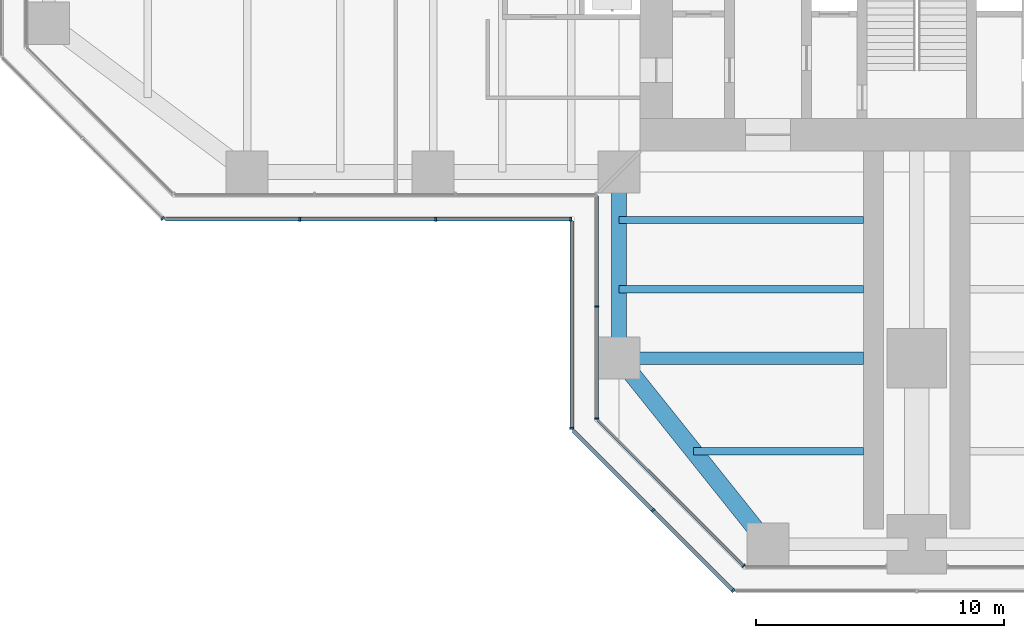
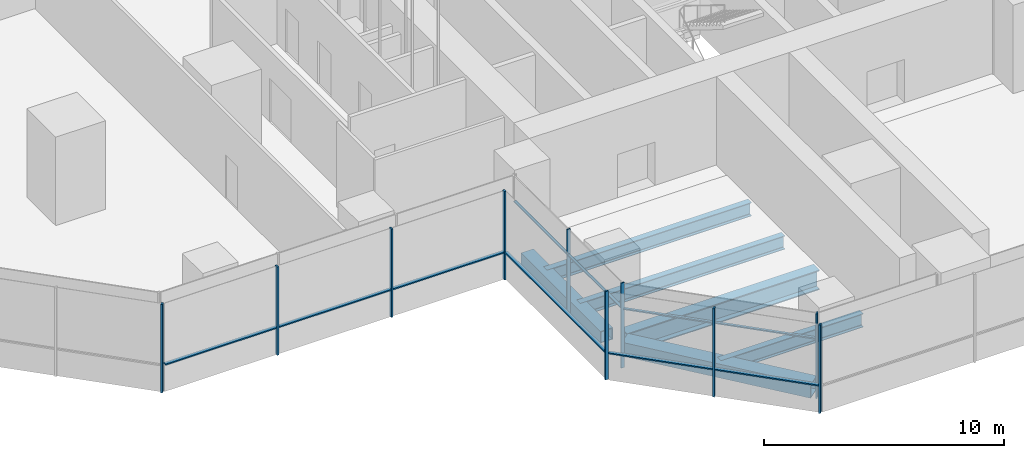
# One storey, part 2 of 34: 19 members, 6 beams, 6 elements without a shape of their own.
"""IFC4 building model written with IfcOpenShell, lengths in metres."""

from ifc_helpers import new_model, si_unit, direction, frame, origin, origin_2d, place, context, subcontext, project, spatial, rectangle, hollow_rectangle, i_section, extrude, material, material_profile, profile_set, type_object, element, aggregate, save


model = new_model("IFC4")

# Units and contexts
model_context = context("Model", 3, precision=1e-05, world=origin(), true_north=direction((0.0, 1.0)))
body_context = subcontext(model_context, "Body", "Model", "MODEL_VIEW")
ifc_project = project(units=[si_unit("LENGTHUNIT", "METRE"), si_unit("AREAUNIT", "SQUARE_METRE"), si_unit("VOLUMEUNIT", "CUBIC_METRE"), si_unit("PLANEANGLEUNIT", "RADIAN"), si_unit("MASSUNIT", "GRAM", prefix="KILO")], contexts=[model_context])

# Site, building, storey
site_placement = place(None, origin())
site = spatial("IfcSite", under=ifc_project, at=site_placement, CompositionType="ELEMENT")
building_placement = place(site_placement, origin())
building = spatial("IfcBuilding", under=site, at=building_placement, Name="Mizan Broadcast Tower", CompositionType="ELEMENT")
storey_placement = place(building_placement, frame((0.0, 0.0, 194.39990234375)))
storey = spatial("IfcBuildingStorey", under=building, at=storey_placement, Name="L45", CompositionType="ELEMENT", Elevation=194.39990234375)

# Beams
ifc_material_1 = material(Name="Steel S355", Category="steel")
ifc_material_profile_1 = material_profile(ifc_material_1, hollow_rectangle(XDim=0.60009765625, YDim=0.60009765625, WallThickness=0.0400390625, at=origin_2d()), Name="BOX 600x600x40")
ifc_profile_set_1 = profile_set([ifc_material_profile_1], Name="Steel S355")
beam_type_1 = type_object("IfcBeamType", Name="EDGE BEAM BOX 600x600x40", PredefinedType="SPANDREL", material=ifc_profile_set_1)
beam_1_placement = place(storey_placement, frame((-12.0, -12.449951171875, -0.429931640625), z_axis=(0.0, -1.0, 0.0), x_axis=(1.0, 0.0, 0.0)))
element("IfcBeam", 1, at=beam_1_placement, inside=storey, type_object=beam_type_1, Name="Edge beam BOX 600x600x40 L45 south arm", PredefinedType="SPANDREL", context=body_context, shape_type="SweptSolid", body=[
    extrude(hollow_rectangle(XDim=0.60009765625, YDim=0.60009765625, WallThickness=0.0400390625, at=origin_2d()), origin(), (0.0, 0.0, 1.0), 6.60009765625),
])
ifc_material_2 = material(Name="Steel S355", Category="steel")
ifc_material_profile_2 = material_profile(ifc_material_2, hollow_rectangle(XDim=0.699951171875, YDim=0.699951171875, WallThickness=0.0400390625, at=origin_2d()), Name="BOX 700x700x40")
ifc_profile_set_2 = profile_set([ifc_material_profile_2], Name="Steel S355")
beam_type_2 = type_object("IfcBeamType", Name="EDGE BEAM BOX 700x700x40", PredefinedType="SPANDREL", material=ifc_profile_set_2)
beam_2_placement = place(storey_placement, frame((-11.639892578125, -19.949951171875, -0.47998046875), z_axis=(0.624673911726, -0.780885717636, 0.0), x_axis=(0.780885717636, 0.624673911726, 0.0)))
element("IfcBeam", 2, at=beam_2_placement, inside=storey, type_object=beam_type_2, Name="Edge beam BOX 700x700x40 L45 south arm", PredefinedType="SPANDREL", context=body_context, shape_type="SweptSolid", body=[
    extrude(hollow_rectangle(XDim=0.699951171875, YDim=0.699951171875, WallThickness=0.0400390625, at=origin_2d()), origin(), (0.0, 0.0, 1.0), 8.4521484375),
])
ifc_material_3 = material(Name="Steel S460", Category="steel")
ifc_material_profile_3 = material_profile(ifc_material_3, i_section(OverallWidth=0.5, OverallDepth=1.0, WebThickness=0.02490234375, FlangeThickness=0.050048828125, at=origin_2d()), Name="WPG 1000x500")
ifc_profile_set_3 = profile_set([ifc_material_profile_3], Name="Steel S460")
beam_type_3 = type_object("IfcBeamType", Name="GIRDER WPG 1000x500", PredefinedType="BEAM", material=ifc_profile_set_3)
beam_3_placement = place(storey_placement, frame((-11.408935546875, -19.5, -0.6298828125), z_axis=(1.0, 0.0, 0.0), x_axis=(0.0, 1.0, 0.0)))
element("IfcBeam", 3, at=beam_3_placement, inside=storey, type_object=beam_type_3, Name="Girder WPG 1000x500 L45 south arm", PredefinedType="BEAM", context=body_context, shape_type="SweptSolid", body=[
    extrude(i_section(OverallWidth=0.5, OverallDepth=1.0, WebThickness=0.02490234375, FlangeThickness=0.050048828125, at=origin_2d()), origin(), (0.0, 0.0, 1.0), 9.259033203125),
])

# Curtain wall, members
ifc_material_4 = material(Name="Aluminium framed glazing", Category="aluminium")
curtain_wall_type_1 = type_object("IfcCurtainWallType", Name="INNER SKIN HIGH ZONE", PredefinedType="USERDEFINED", material=ifc_material_4)
curtain_wall_1_placement = place(storey_placement, origin())
curtain_wall_1 = element("IfcCurtainWall", 4, at=curtain_wall_1_placement, inside=storey, type_object=curtain_wall_type_1, Name="Inner skin high zone L45 S side", ObjectType="INNER SKIN HIGH ZONE", PredefinedType="USERDEFINED")
ifc_material_5 = material(Name="Aluminium, pale anodised", Category="aluminium")
ifc_material_profile_4 = material_profile(ifc_material_5, rectangle(XDim=0.159912109375, YDim=0.06005859375, at=origin_2d()), Name="MULLION 160x60")
ifc_profile_set_4 = profile_set([ifc_material_profile_4], Name="Aluminium, pale anodised")
member_type_1 = type_object("IfcMemberType", Name="INNER SKIN MULLION 60x160", PredefinedType="MULLION", material=ifc_profile_set_4)
member_1_placement = place(storey_placement, frame((-12.89990234375, -17.42919921875, 0.0), z_axis=(0.0, 0.0, 1.0), x_axis=(1.0, 0.0, 0.0)))
member_1 = element("IfcMember", 5, at=member_1_placement, type_object=member_type_1, Name="Inner skin high zone L45 S side mullion 2", PredefinedType="MULLION", context=body_context, shape_type="SweptSolid", body=[
    extrude(rectangle(XDim=0.159912109375, YDim=0.06005859375, at=origin_2d()), origin(), (0.0, 0.0, 1.0), 4.320068359375),
])
member_2_placement = place(storey_placement, frame((-12.89990234375, -21.928466796875, 0.0), z_axis=(0.0, 0.0, 1.0), x_axis=(1.0, 0.0, 0.0)))
member_2 = element("IfcMember", 6, at=member_2_placement, type_object=member_type_1, Name="Inner skin high zone L45 S side mullion 3", PredefinedType="MULLION", context=body_context, shape_type="SweptSolid", body=[
    extrude(rectangle(XDim=0.159912109375, YDim=0.06005859375, at=origin_2d()), origin(), (0.0, 0.0, 1.0), 4.320068359375),
])

# Curtain wall, member
curtain_wall_2_placement = place(storey_placement, origin())
curtain_wall_2 = element("IfcCurtainWall", 7, at=curtain_wall_2_placement, inside=storey, type_object=curtain_wall_type_1, Name="Inner skin high zone L45 S chamfer", ObjectType="INNER SKIN HIGH ZONE", PredefinedType="USERDEFINED")
member_3_placement = place(storey_placement, frame((-6.979736328125, -27.87890625, 0.0), z_axis=(0.0, 0.0, 1.0), x_axis=(0.707106781187, 0.707106781187, 0.0)))
member_3 = element("IfcMember", 8, at=member_3_placement, type_object=member_type_1, Name="Inner skin high zone L45 S chamfer mullion 2", PredefinedType="MULLION", context=body_context, shape_type="SweptSolid", body=[
    extrude(rectangle(XDim=0.159912109375, YDim=0.06005859375, at=origin_2d()), origin(), (0.0, 0.0, 1.0), 4.320068359375),
])

# Member
ifc_material_6 = material(Name="Aluminium, pale anodised", Category="aluminium")
ifc_material_profile_5 = material_profile(ifc_material_6, rectangle(XDim=0.1201171875, YDim=0.06005859375, at=origin_2d()), Name="TRANSOM 120x60")
ifc_profile_set_5 = profile_set([ifc_material_profile_5], Name="Aluminium, pale anodised")
member_type_2 = type_object("IfcMemberType", Name="INNER SKIN TRANSOM 60x120", PredefinedType="USERDEFINED", material=ifc_profile_set_5)
member_4_placement = place(storey_placement, frame((-12.89990234375, -12.9599609375, 3.030029296875), z_axis=(0.0, -1.0, 0.0), x_axis=(1.0, 0.0, 0.0)))
member_4 = element("IfcMember", 9, at=member_4_placement, type_object=member_type_2, Name="Inner skin high zone L45 S side transom 1.1", ObjectType="TRANSOM", PredefinedType="USERDEFINED", context=body_context, shape_type="SweptSolid", body=[
    extrude(rectangle(XDim=0.1201171875, YDim=0.06005859375, at=origin_2d()), origin(), (0.0, 0.0, 1.0), 4.439208984375),
])

member_5_placement = place(storey_placement, frame((-12.89990234375, -17.459228515625, 3.030029296875), z_axis=(0.0, -1.0, 0.0), x_axis=(1.0, 0.0, 0.0)))
member_5 = element("IfcMember", 10, at=member_5_placement, type_object=member_type_2, Name="Inner skin high zone L45 S side transom 2.1", ObjectType="TRANSOM", PredefinedType="USERDEFINED", context=body_context, shape_type="SweptSolid", body=[
    extrude(rectangle(XDim=0.1201171875, YDim=0.06005859375, at=origin_2d()), origin(), (0.0, 0.0, 1.0), 4.439453125),
])

aggregate(curtain_wall_1, [member_1, member_2, member_4, member_5])

member_6_placement = place(storey_placement, frame((-12.857666015625, -22.0009765625, 3.030029296875), z_axis=(0.707106781187, -0.707106781187, 0.0), x_axis=(0.707106781187, 0.707106781187, 0.0)))
member_6 = element("IfcMember", 11, at=member_6_placement, type_object=member_type_2, Name="Inner skin high zone L45 S chamfer transom 1.1", ObjectType="TRANSOM", PredefinedType="USERDEFINED", context=body_context, shape_type="SweptSolid", body=[
    extrude(rectangle(XDim=0.1201171875, YDim=0.06005859375, at=origin_2d()), origin(), (0.0, 0.0, 1.0), 8.28271484375),
])

aggregate(curtain_wall_2, [member_3, member_6])

# Curtain wall, member
ifc_material_7 = material(Name="Aluminium framed glazing", Category="aluminium")
curtain_wall_type_2 = type_object("IfcCurtainWallType", Name="OUTER SKIN", PredefinedType="USERDEFINED", material=ifc_material_7)
curtain_wall_3_placement = place(storey_placement, origin())
curtain_wall_3 = element("IfcCurtainWall", 12, at=curtain_wall_3_placement, inside=storey, type_object=curtain_wall_type_2, Name="Outer skin L45 W chamfer", ObjectType="OUTER SKIN", PredefinedType="USERDEFINED")
ifc_material_8 = material(Name="Aluminium, pale anodised", Category="aluminium")
ifc_material_profile_6 = material_profile(ifc_material_8, rectangle(XDim=0.159912109375, YDim=0.080078125, at=origin_2d()), Name="MULLION 160x80")
ifc_profile_set_6 = profile_set([ifc_material_profile_6], Name="Aluminium, pale anodised")
member_type_3 = type_object("IfcMemberType", Name="OUTER SKIN MULLION 80x160", PredefinedType="MULLION", material=ifc_profile_set_6)
member_7_placement = place(storey_placement, frame((-30.401123046875, -13.871826171875, 0.0), z_axis=(0.0, 0.0, 1.0), x_axis=(0.707106781187, 0.707106781187, 0.0)))
member_7 = element("IfcMember", 13, at=member_7_placement, type_object=member_type_3, Name="Outer skin L45 W chamfer mullion 3", PredefinedType="MULLION", context=body_context, shape_type="SweptSolid", body=[
    extrude(rectangle(XDim=0.159912109375, YDim=0.080078125, at=origin_2d()), origin(), (0.0, 0.0, 1.0), 4.5),
])
aggregate(curtain_wall_3, [member_7])

# Curtain wall, members
curtain_wall_4_placement = place(storey_placement, origin())
curtain_wall_4 = element("IfcCurtainWall", 14, at=curtain_wall_4_placement, inside=storey, type_object=curtain_wall_type_2, Name="Outer skin L45 W side", ObjectType="OUTER SKIN", PredefinedType="USERDEFINED")
member_8_placement = place(storey_placement, frame((-24.8818359375, -13.89990234375, 0.0), z_axis=(0.0, 0.0, 1.0), x_axis=(0.0, 1.0, 0.0)))
member_8 = element("IfcMember", 15, at=member_8_placement, type_object=member_type_3, Name="Outer skin L45 W side mullion 2", PredefinedType="MULLION", context=body_context, shape_type="SweptSolid", body=[
    extrude(rectangle(XDim=0.159912109375, YDim=0.080078125, at=origin_2d()), origin(), (0.0, 0.0, 1.0), 4.5),
])
member_9_placement = place(storey_placement, frame((-19.390869140625, -13.89990234375, 0.0), z_axis=(0.0, 0.0, 1.0), x_axis=(0.0, 1.0, 0.0)))
member_9 = element("IfcMember", 16, at=member_9_placement, type_object=member_type_3, Name="Outer skin L45 W side mullion 3", PredefinedType="MULLION", context=body_context, shape_type="SweptSolid", body=[
    extrude(rectangle(XDim=0.159912109375, YDim=0.080078125, at=origin_2d()), origin(), (0.0, 0.0, 1.0), 4.5),
])
member_10_placement = place(storey_placement, frame((-13.93994140625, -13.89990234375, 0.0), z_axis=(0.0, 0.0, 1.0), x_axis=(0.0, 1.0, 0.0)))
member_10 = element("IfcMember", 17, at=member_10_placement, type_object=member_type_3, Name="Outer skin L45 W side mullion 4", PredefinedType="MULLION", context=body_context, shape_type="SweptSolid", body=[
    extrude(rectangle(XDim=0.159912109375, YDim=0.080078125, at=origin_2d()), origin(), (0.0, 0.0, 1.0), 4.5),
])

# Curtain wall, member
curtain_wall_5_placement = place(storey_placement, origin())
curtain_wall_5 = element("IfcCurtainWall", 18, at=curtain_wall_5_placement, inside=storey, type_object=curtain_wall_type_2, Name="Outer skin L45 S side", ObjectType="OUTER SKIN", PredefinedType="USERDEFINED")
member_11_placement = place(storey_placement, frame((-13.89990234375, -22.332763671875, 0.0), z_axis=(0.0, 0.0, 1.0), x_axis=(1.0, 0.0, 0.0)))
member_11 = element("IfcMember", 19, at=member_11_placement, type_object=member_type_3, Name="Outer skin L45 S side mullion 2", PredefinedType="MULLION", context=body_context, shape_type="SweptSolid", body=[
    extrude(rectangle(XDim=0.159912109375, YDim=0.080078125, at=origin_2d()), origin(), (0.0, 0.0, 1.0), 4.5),
])

# Curtain wall, members
curtain_wall_6_placement = place(storey_placement, origin())
curtain_wall_6 = element("IfcCurtainWall", 20, at=curtain_wall_6_placement, inside=storey, type_object=curtain_wall_type_2, Name="Outer skin L45 S chamfer", ObjectType="OUTER SKIN", PredefinedType="USERDEFINED")
member_12_placement = place(storey_placement, frame((-10.636474609375, -25.636474609375, 0.0), z_axis=(0.0, 0.0, 1.0), x_axis=(0.707106781187, 0.707106781187, 0.0)))
member_12 = element("IfcMember", 21, at=member_12_placement, type_object=member_type_3, Name="Outer skin L45 S chamfer mullion 2", PredefinedType="MULLION", context=body_context, shape_type="SweptSolid", body=[
    extrude(rectangle(XDim=0.159912109375, YDim=0.080078125, at=origin_2d()), origin(), (0.0, 0.0, 1.0), 4.5),
])
member_13_placement = place(storey_placement, frame((-7.401123046875, -28.871826171875, 0.0), z_axis=(0.0, 0.0, 1.0), x_axis=(0.707106781187, 0.707106781187, 0.0)))
member_13 = element("IfcMember", 22, at=member_13_placement, type_object=member_type_3, Name="Outer skin L45 S chamfer mullion 3", PredefinedType="MULLION", context=body_context, shape_type="SweptSolid", body=[
    extrude(rectangle(XDim=0.159912109375, YDim=0.080078125, at=origin_2d()), origin(), (0.0, 0.0, 1.0), 4.5),
])

# Member
ifc_material_9 = material(Name="Aluminium, pale anodised", Category="aluminium")
ifc_material_profile_7 = material_profile(ifc_material_9, rectangle(XDim=0.159912109375, YDim=0.06005859375, at=origin_2d()), Name="TRANSOM 160x60")
ifc_profile_set_7 = profile_set([ifc_material_profile_7], Name="Aluminium, pale anodised")
member_type_4 = type_object("IfcMemberType", Name="OUTER SKIN TRANSOM 60x160", PredefinedType="USERDEFINED", material=ifc_profile_set_7)
member_14_placement = place(storey_placement, frame((-30.292724609375, -13.89990234375, 1.400146484375), z_axis=(1.0, 0.0, 0.0), x_axis=(0.0, 1.0, 0.0)))
member_14 = element("IfcMember", 23, at=member_14_placement, type_object=member_type_4, Name="Outer skin L45 W side transom 1.1", ObjectType="TRANSOM", PredefinedType="USERDEFINED", context=body_context, shape_type="SweptSolid", body=[
    extrude(rectangle(XDim=0.159912109375, YDim=0.06005859375, at=origin_2d()), origin(), (0.0, 0.0, 1.0), 5.370849609375),
])

member_15_placement = place(storey_placement, frame((-24.841796875, -13.89990234375, 1.400146484375), z_axis=(1.0, 0.0, 0.0), x_axis=(0.0, 1.0, 0.0)))
member_15 = element("IfcMember", 24, at=member_15_placement, type_object=member_type_4, Name="Outer skin L45 W side transom 2.1", ObjectType="TRANSOM", PredefinedType="USERDEFINED", context=body_context, shape_type="SweptSolid", body=[
    extrude(rectangle(XDim=0.159912109375, YDim=0.06005859375, at=origin_2d()), origin(), (0.0, 0.0, 1.0), 5.410888671875),
])

member_16_placement = place(storey_placement, frame((-19.350830078125, -13.89990234375, 1.400146484375), z_axis=(1.0, 0.0, 0.0), x_axis=(0.0, 1.0, 0.0)))
member_16 = element("IfcMember", 25, at=member_16_placement, type_object=member_type_4, Name="Outer skin L45 W side transom 3.1", ObjectType="TRANSOM", PredefinedType="USERDEFINED", context=body_context, shape_type="SweptSolid", body=[
    extrude(rectangle(XDim=0.159912109375, YDim=0.06005859375, at=origin_2d()), origin(), (0.0, 0.0, 1.0), 5.370849609375),
])

aggregate(curtain_wall_4, [member_8, member_9, member_10, member_14, member_15, member_16])

member_17_placement = place(storey_placement, frame((-13.89990234375, -13.97998046875, 1.400146484375), z_axis=(0.0, -1.0, 0.0), x_axis=(1.0, 0.0, 0.0)))
member_17 = element("IfcMember", 26, at=member_17_placement, type_object=member_type_4, Name="Outer skin L45 S side transom 1.1", ObjectType="TRANSOM", PredefinedType="USERDEFINED", context=body_context, shape_type="SweptSolid", body=[
    extrude(rectangle(XDim=0.159912109375, YDim=0.06005859375, at=origin_2d()), origin(), (0.0, 0.0, 1.0), 8.312744140625),
])

aggregate(curtain_wall_5, [member_11, member_17])

member_18_placement = place(storey_placement, frame((-13.843505859375, -22.429443359375, 1.400146484375), z_axis=(0.707106781187, -0.707106781187, 0.0), x_axis=(0.707106781187, 0.707106781187, 0.0)))
member_18 = element("IfcMember", 27, at=member_18_placement, type_object=member_type_4, Name="Outer skin L45 S chamfer transom 1.1", ObjectType="TRANSOM", PredefinedType="USERDEFINED", context=body_context, shape_type="SweptSolid", body=[
    extrude(rectangle(XDim=0.159912109375, YDim=0.06005859375, at=origin_2d()), origin(), (0.0, 0.0, 1.0), 4.495361328125),
])

member_19_placement = place(storey_placement, frame((-10.608154296875, -25.664794921875, 1.400146484375), z_axis=(0.707106781187, -0.707106781187, 0.0), x_axis=(0.707106781187, 0.707106781187, 0.0)))
member_19 = element("IfcMember", 28, at=member_19_placement, type_object=member_type_4, Name="Outer skin L45 S chamfer transom 2.1", ObjectType="TRANSOM", PredefinedType="USERDEFINED", context=body_context, shape_type="SweptSolid", body=[
    extrude(rectangle(XDim=0.159912109375, YDim=0.06005859375, at=origin_2d()), origin(), (0.0, 0.0, 1.0), 4.495361328125),
])

aggregate(curtain_wall_6, [member_12, member_13, member_18, member_19])

# Beams
ifc_material_10 = material(Name="Steel S355", Category="steel")
ifc_material_profile_8 = material_profile(ifc_material_10, i_section(OverallWidth=0.300048828125, OverallDepth=0.68994140625, WebThickness=0.014404296875, FlangeThickness=0.027099609375, FilletRadius=0.027099609375, at=origin_2d()), Name="HEA 700")
ifc_profile_set_8 = profile_set([ifc_material_profile_8], Name="Steel S355")
beam_type_4 = type_object("IfcBeamType", Name="SECONDARY BEAM HEA 700", PredefinedType="JOIST", material=ifc_profile_set_8)
for number, where, z_axis, x_axis, name in (
    (29, (-12.0, -13.933349609375, -0.474853515625), (1.0, 0.0, 0.0), (0.0, 1.0, 0.0), "Secondary beam HEA 700 L45 south arm"),
    (30, (-12.0, -16.716552734375, -0.474853515625), (1.0, 0.0, 0.0), (0.0, 1.0, 0.0), "Secondary beam HEA 700 L45 south arm"),
):
    element("IfcBeam", number, at=place(storey_placement, frame(where, z_axis=z_axis, x_axis=x_axis)), inside=storey, type_object=beam_type_4, Name=name, PredefinedType="JOIST", context=body_context, shape_type="SweptSolid", body=[
        extrude(i_section(OverallWidth=0.300048828125, OverallDepth=0.68994140625, WebThickness=0.014404296875, FlangeThickness=0.027099609375, FilletRadius=0.027099609375, at=origin_2d()), origin(), (0.0, 0.0, 1.0), 9.85009765625),
    ])
beam_4_placement = place(storey_placement, frame((-9.0, -23.25, -0.474853515625), z_axis=(1.0, 0.0, 0.0), x_axis=(0.0, 1.0, 0.0)))
element("IfcBeam", 31, at=beam_4_placement, inside=storey, type_object=beam_type_4, Name="Secondary beam HEA 700 L45 south arm", PredefinedType="JOIST", context=body_context, shape_type="SweptSolid", body=[
    extrude(i_section(OverallWidth=0.300048828125, OverallDepth=0.68994140625, WebThickness=0.014404296875, FlangeThickness=0.027099609375, FilletRadius=0.027099609375, at=origin_2d()), origin(), (0.0, 0.0, 1.0), 6.85009765625),
])

save(model, "model.ifc")
